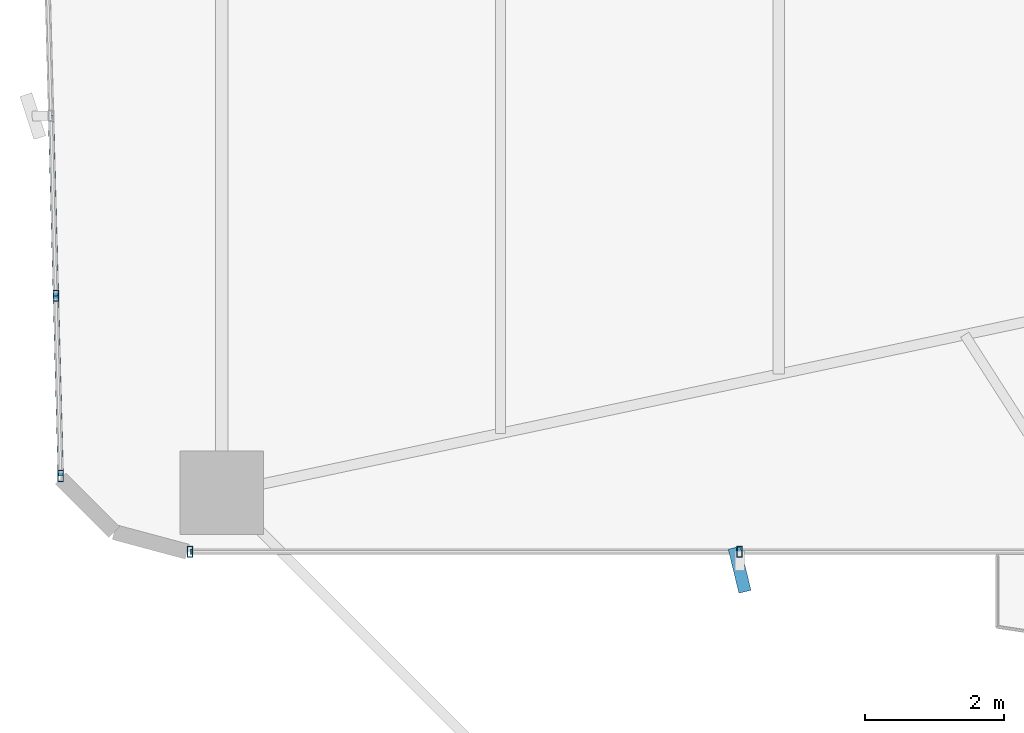
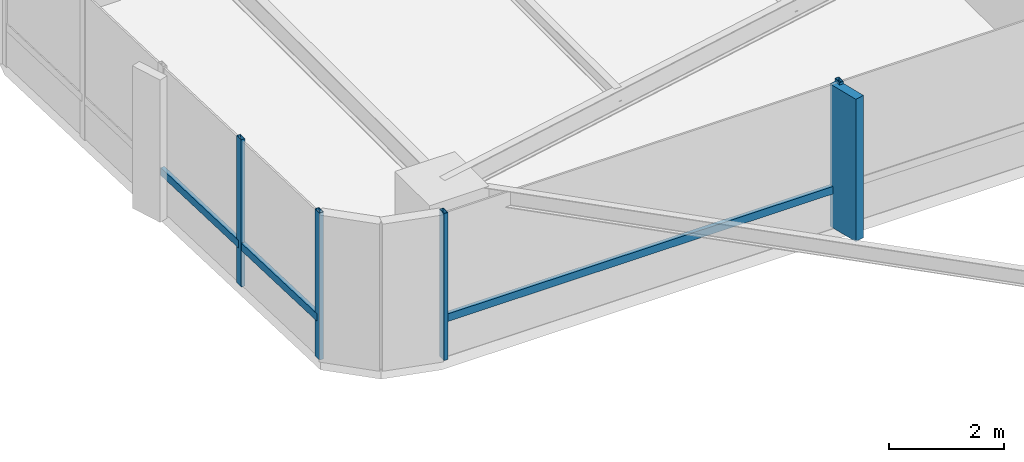
# One storey, part 6 of 25: 8 members, 2 elements without a shape of their own.
"""IFC4 building model written with IfcOpenShell, lengths in metres."""

from ifc_helpers import new_model, si_unit, direction, frame, origin, origin_2d, place, context, subcontext, project, spatial, rectangle, hollow_rectangle, extrude, source, transform, mapped, material, material_profile, profile_set, type_object, element, aggregate, save


model = new_model("IFC4")

# Units and contexts
model_context = context("Model", 3, precision=1e-05, world=origin(), true_north=direction((0.0, 1.0)))
body_context = subcontext(model_context, "Body", "Model", "MODEL_VIEW")
ifc_project = project(units=[si_unit("LENGTHUNIT", "METRE"), si_unit("AREAUNIT", "SQUARE_METRE"), si_unit("VOLUMEUNIT", "CUBIC_METRE"), si_unit("PLANEANGLEUNIT", "RADIAN"), si_unit("MASSUNIT", "GRAM", prefix="KILO")], contexts=[model_context])

# Site, building, storey
site_placement = place(None, origin())
site = spatial("IfcSite", under=ifc_project, at=site_placement, CompositionType="ELEMENT")
building_placement = place(site_placement, origin())
building = spatial("IfcBuilding", under=site, at=building_placement, Name="Sahyath Konkavel Grand Hotel", CompositionType="ELEMENT")
storey_placement = place(building_placement, frame((0.0, 0.0, 39.85009765625)))
storey = spatial("IfcBuildingStorey", under=building, at=storey_placement, Name="L10", CompositionType="ELEMENT", Elevation=39.85009765625)

# Curtain wall, members
ifc_material_1 = material(Name="Anodised Bronze Aluminium & Low-E Glazing", Category="aluminium")
curtain_wall_type = type_object("IfcCurtainWallType", Name="CW-ZONE1", PredefinedType="NOTDEFINED", material=ifc_material_1)
curtain_wall_1_placement = place(storey_placement, origin())
curtain_wall_1 = element("IfcCurtainWall", 1, at=curtain_wall_1_placement, inside=storey, type_object=curtain_wall_type, Name="L10 Unitised Curtain Wall F20", PredefinedType="NOTDEFINED")
ifc_material_2 = material(Name="Anodised Bronze Aluminium", Category="aluminium")
ifc_material_profile_1 = material_profile(ifc_material_2, hollow_rectangle(XDim=0.080078125, YDim=0.159912109375, WallThickness=0.006103515625, at=origin_2d()), Name="RHS 160x80x6")
ifc_profile_set_1 = profile_set([ifc_material_profile_1], Name="Anodised Bronze Aluminium")
member_type_1 = type_object("IfcMemberType", Name="CW-MUL-160", PredefinedType="MULLION", material=ifc_profile_set_1)
shared_shape_1 = source(origin(), body_context, "Body", "SweptSolid", [
    extrude(hollow_rectangle(XDim=0.080078125, YDim=0.159912109375, WallThickness=0.006103515625, at=origin_2d()), origin(), (0.0, 0.0, 1.0), 3.10986328125),
])
member_1_placement = place(storey_placement, frame((-24.589599609375, -3.117431640625, 0.0), z_axis=(0.0, 0.0, 1.0), x_axis=(1.0, 0.0, 0.0)))
member_1 = element("IfcMember", 2, at=member_1_placement, type_object=member_type_1, Name="L10 Curtain Wall Mullion F20-3", PredefinedType="MULLION", context=body_context, shape_type="MappedRepresentation", body=[
    mapped(shared_shape_1, transform((0.0, 0.0, 0.0), scale=1.0)),
])
member_2_placement = place(storey_placement, frame((-24.519775390625, -5.7099609375, 0.0), z_axis=(0.0, 0.0, 1.0), x_axis=(1.0, 0.0, 0.0)))
member_2 = element("IfcMember", 3, at=member_2_placement, type_object=member_type_1, Name="L10 Curtain Wall Mullion F20-4", PredefinedType="MULLION", context=body_context, shape_type="MappedRepresentation", body=[
    mapped(shared_shape_1, transform((0.0, 0.0, 0.0), scale=1.0)),
])

curtain_wall_2_placement = place(storey_placement, origin())
curtain_wall_2 = element("IfcCurtainWall", 4, at=curtain_wall_2_placement, inside=storey, type_object=curtain_wall_type, Name="L10 Unitised Curtain Wall F23", PredefinedType="NOTDEFINED")
member_3_placement = place(storey_placement, frame((-22.659912109375, -6.800048828125, 0.0), z_axis=(0.0, 0.0, 1.0), x_axis=(1.0, 0.0, 0.0)))
member_3 = element("IfcMember", 5, at=member_3_placement, type_object=member_type_1, Name="L10 Curtain Wall Mullion F23-0", PredefinedType="MULLION", context=body_context, shape_type="MappedRepresentation", body=[
    mapped(shared_shape_1, transform((0.0, 0.0, 0.0), scale=1.0)),
])
member_4_placement = place(storey_placement, frame((-14.75, -6.800048828125, 0.0), z_axis=(0.0, 0.0, 1.0), x_axis=(1.0, 0.0, 0.0)))
member_4 = element("IfcMember", 6, at=member_4_placement, type_object=member_type_1, Name="L10 Curtain Wall Mullion F23-1", PredefinedType="MULLION", context=body_context, shape_type="MappedRepresentation", body=[
    mapped(shared_shape_1, transform((0.0, 0.0, 0.0), scale=1.0)),
])
ifc_material_3 = material(Name="Warm Buff Sandstone Cladding on Concrete C50/60", Category="masonry")
ifc_material_profile_2 = material_profile(ifc_material_3, rectangle(XDim=0.179931640625, YDim=0.64990234375, at=origin_2d()), Name="FIN 180x650")
ifc_profile_set_2 = profile_set([ifc_material_profile_2], Name="Warm Buff Sandstone Cladding on Concrete C50/60")
member_type_2 = type_object("IfcMemberType", Name="FIN-SANDSTONE-650", PredefinedType="MULLION", material=ifc_profile_set_2)
shared_shape_2 = source(origin(), body_context, "Body", "SweptSolid", [
    extrude(rectangle(XDim=0.179931640625, YDim=0.64990234375, at=origin_2d()), origin(), (0.0, 0.0, 1.0), 3.010009765625),
])
member_5_placement = place(storey_placement, frame((-14.75, -7.06005859375, 0.0498046875), z_axis=(0.0, 0.0, 1.0), x_axis=(0.971590441254, 0.236668575149, 0.0)))
member_5 = element("IfcMember", 7, at=member_5_placement, type_object=member_type_2, Name="L10 Sandstone Vertical Solar Fin FIN F23-1", PredefinedType="MULLION", context=body_context, shape_type="MappedRepresentation", body=[
    mapped(shared_shape_2, transform((0.0, 0.0, 0.0), scale=1.0)),
])
ifc_material_profile_3 = material_profile(ifc_material_2, hollow_rectangle(XDim=0.080078125, YDim=0.159912109375, WallThickness=0.006103515625, at=origin_2d()), Name="RHS 160x80x6")
ifc_profile_set_3 = profile_set([ifc_material_profile_3], Name="Anodised Bronze Aluminium")
member_type_3 = type_object("IfcMemberType", Name="CW-TRN-160", PredefinedType="USERDEFINED", material=ifc_profile_set_3)
shared_shape_3 = source(origin(), body_context, "Body", "SweptSolid", [
    extrude(hollow_rectangle(XDim=0.080078125, YDim=0.159912109375, WallThickness=0.006103515625, at=origin_2d()), origin(), (0.0, 0.0, 1.0), 7.909912109375),
])
member_6_placement = place(storey_placement, frame((-22.659912109375, -6.800048828125, 0.849853515625), z_axis=(1.0, 0.0, 0.0), x_axis=(0.0, 1.0, 0.0)))
member_6 = element("IfcMember", 8, at=member_6_placement, type_object=member_type_3, Name="L10 Curtain Wall Transom F23-0-spandrel", ObjectType="TRANSOM", PredefinedType="USERDEFINED", context=body_context, shape_type="MappedRepresentation", body=[
    mapped(shared_shape_3, transform((0.0, 0.0, 0.0), scale=1.0)),
])
aggregate(curtain_wall_2, [member_3, member_4, member_5, member_6])

# Member
shared_shape_4 = source(origin(), body_context, "Body", "SweptSolid", [
    extrude(hollow_rectangle(XDim=0.080078125, YDim=0.159912109375, WallThickness=0.006103515625, at=origin_2d()), origin(), (0.0, 0.0, 1.0), 2.593505859375),
])
member_7_placement = place(storey_placement, frame((-24.6591796875, -0.52490234375, 0.849853515625), z_axis=(0.02682902444, -0.999640036937, 0.0), x_axis=(0.999640036937, 0.02682902444, 0.0)))
member_7 = element("IfcMember", 9, at=member_7_placement, type_object=member_type_3, Name="L10 Curtain Wall Transom F20-2-spandrel", ObjectType="TRANSOM", PredefinedType="USERDEFINED", context=body_context, shape_type="MappedRepresentation", body=[
    mapped(shared_shape_4, transform((0.0, 0.0, 0.0), scale=1.0)),
])

member_8_placement = place(storey_placement, frame((-24.589599609375, -3.117431640625, 0.849853515625), z_axis=(0.026923093252, -0.999637507825, 0.0), x_axis=(0.999637507825, 0.026923093252, 0.0)))
member_8 = element("IfcMember", 10, at=member_8_placement, type_object=member_type_3, Name="L10 Curtain Wall Transom F20-3-spandrel", ObjectType="TRANSOM", PredefinedType="USERDEFINED", context=body_context, shape_type="MappedRepresentation", body=[
    mapped(shared_shape_4, transform((0.0, 0.0, 0.0), scale=1.0)),
])

aggregate(curtain_wall_1, [member_1, member_2, member_7, member_8])

save(model, "model.ifc")
